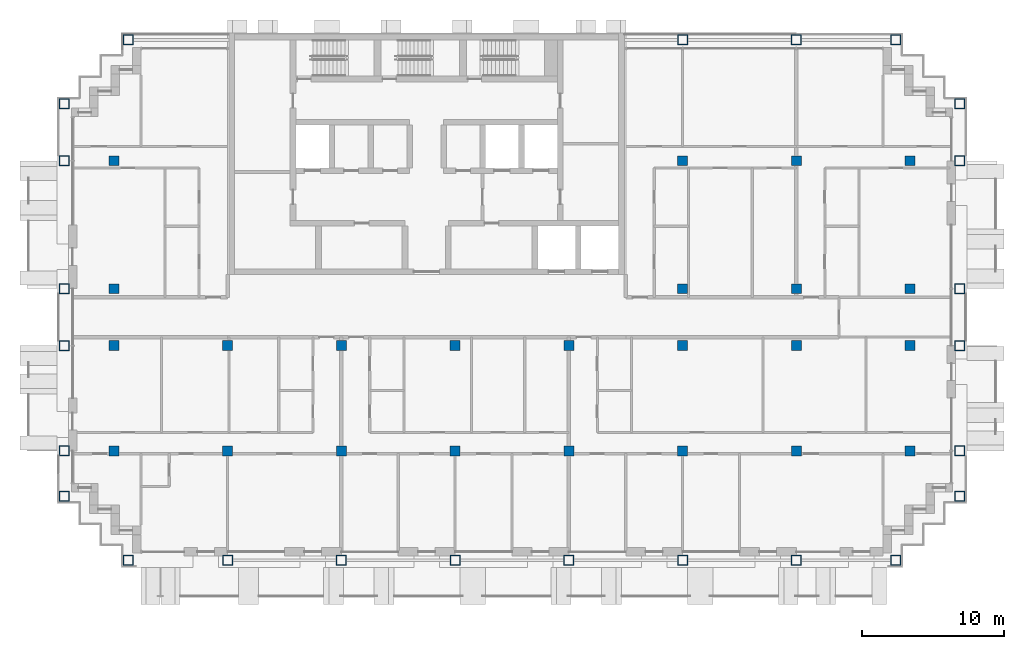
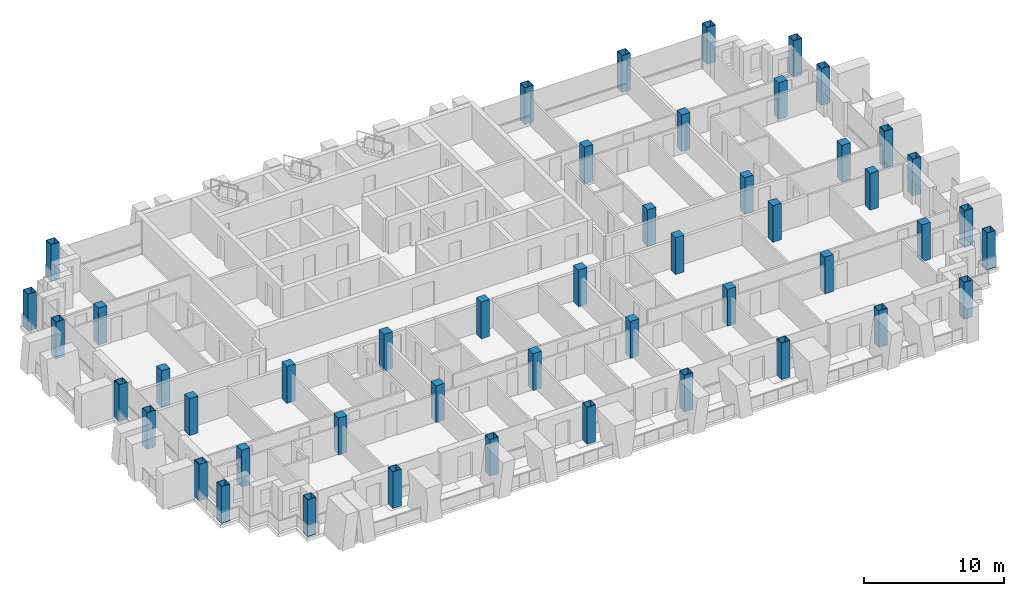
# One storey, part 1 of 16: 48 columns.
"""IFC4 building model written with IfcOpenShell, lengths in metres."""

from ifc_helpers import new_model, si_unit, direction, frame, origin, origin_2d, place, context, subcontext, project, spatial, rectangle, hollow_rectangle, extrude, material, material_profile, profile_set, type_object, element, save


model = new_model("IFC4")

# Units and contexts
model_context = context("Model", 3, precision=1e-05, world=origin(), true_north=direction((0.0, 1.0)))
body_context = subcontext(model_context, "Body", "Model", "MODEL_VIEW")
ifc_project = project(units=[si_unit("LENGTHUNIT", "METRE"), si_unit("AREAUNIT", "SQUARE_METRE"), si_unit("VOLUMEUNIT", "CUBIC_METRE"), si_unit("PLANEANGLEUNIT", "RADIAN"), si_unit("MASSUNIT", "GRAM", prefix="KILO")], contexts=[model_context])

# Site, building, storey
site_placement = place(None, origin())
site = spatial("IfcSite", under=ifc_project, at=site_placement, CompositionType="ELEMENT")
building_placement = place(site_placement, origin())
building = spatial("IfcBuilding", under=site, at=building_placement, Name="Vidyagriha Tower", CompositionType="ELEMENT")
storey_placement = place(building_placement, frame((0.0, 0.0, 165.300048828125)))
storey = spatial("IfcBuildingStorey", under=building, at=storey_placement, Name="L42", CompositionType="ELEMENT", Elevation=165.300048828125)

# Columns
ifc_material_1 = material(Name="Steel ASTM A572 Grade 50", Category="steel")
ifc_material_profile_1 = material_profile(ifc_material_1, hollow_rectangle(XDim=0.699951171875, YDim=0.699951171875, WallThickness=0.035888671875, at=origin_2d()), Name="BOX 700x700x36")
ifc_profile_set_1 = profile_set([ifc_material_profile_1], Name="Steel ASTM A572 Grade 50")
column_type_1 = type_object("IfcColumnType", Name="Exoskeleton column BOX 700x700x36", PredefinedType="COLUMN", material=ifc_profile_set_1)
for number, where, name in (
    (1, (-21.0, -17.10009765625, 0.0), "st-col-L42-B4-001"),
    (2, (-14.0, -17.10009765625, 0.0), "st-col-L42-B4-002"),
    (3, (-6.0, -17.10009765625, 0.0), "st-col-L42-B4-003"),
    (4, (2.0, -17.10009765625, 0.0), "st-col-L42-B4-004"),
    (5, (10.0, -17.10009765625, 0.0), "st-col-L42-B4-005"),
    (6, (18.0, -17.10009765625, 0.0), "st-col-L42-B4-006"),
    (7, (26.0, -17.10009765625, 0.0), "st-col-L42-B4-007"),
    (8, (33.0, -17.10009765625, 0.0), "st-col-L42-B4-008"),
    (9, (-25.5, -12.60009765625, 0.0), "st-col-L42-B4-009"),
    (10, (37.5, -12.60009765625, 0.0), "st-col-L42-B4-010"),
    (11, (-25.5, -9.39990234375, 0.0), "st-col-L42-B4-011"),
    (12, (37.5, -9.39990234375, 0.0), "st-col-L42-B4-020"),
    (13, (-25.5, -2.0, 0.0), "st-col-L42-B4-021"),
    (14, (37.5, -2.0, 0.0), "st-col-L42-B4-030"),
    (15, (-25.5, 2.0, 0.0), "st-col-L42-B4-031"),
    (16, (37.5, 2.0, 0.0), "st-col-L42-B4-036"),
    (17, (-25.5, 11.0, 0.0), "st-col-L42-B4-037"),
    (18, (37.5, 11.0, 0.0), "st-col-L42-B4-042"),
    (19, (-25.5, 15.0, 0.0), "st-col-L42-B4-043"),
    (20, (37.5, 15.0, 0.0), "st-col-L42-B4-044"),
    (21, (-21.0, 19.5, 0.0), "st-col-L42-B4-045"),
    (22, (18.0, 19.5, 0.0), "st-col-L42-B4-046"),
    (23, (26.0, 19.5, 0.0), "st-col-L42-B4-047"),
    (24, (33.0, 19.5, 0.0), "st-col-L42-B4-048"),
):
    element("IfcColumn", number, at=place(storey_placement, frame(where)), inside=storey, type_object=column_type_1, Name=name, PredefinedType="COLUMN", context=body_context, shape_type="SweptSolid", body=[
        extrude(hollow_rectangle(XDim=0.699951171875, YDim=0.699951171875, WallThickness=0.035888671875, at=origin_2d()), origin(), (0.0, 0.0, 1.0), 3.199951171875),
    ])
ifc_material_2 = material(Name="Concrete C60/75", Category="concrete")
ifc_material_profile_2 = material_profile(ifc_material_2, rectangle(XDim=0.699951171875, YDim=0.699951171875, at=origin_2d()), Name="RC 700x700")
ifc_profile_set_2 = profile_set([ifc_material_profile_2], Name="Concrete C60/75")
column_type_2 = type_object("IfcColumnType", Name="Frame column RC 700x700", PredefinedType="COLUMN", material=ifc_profile_set_2)
for number, where, name in (
    (25, (-22.0, -9.39990234375, 0.0), "st-col-L42-B4-012"),
    (26, (-14.0, -9.39990234375, 0.0), "st-col-L42-B4-013"),
    (27, (-6.0, -9.39990234375, 0.0), "st-col-L42-B4-014"),
    (28, (2.0, -9.39990234375, 0.0), "st-col-L42-B4-015"),
    (29, (10.0, -9.39990234375, 0.0), "st-col-L42-B4-016"),
    (30, (18.0, -9.39990234375, 0.0), "st-col-L42-B4-017"),
    (31, (26.0, -9.39990234375, 0.0), "st-col-L42-B4-018"),
    (32, (34.0, -9.39990234375, 0.0), "st-col-L42-B4-019"),
    (33, (-22.0, -2.0, 0.0), "st-col-L42-B4-022"),
    (34, (-14.0, -2.0, 0.0), "st-col-L42-B4-023"),
    (35, (-6.0, -2.0, 0.0), "st-col-L42-B4-024"),
    (36, (2.0, -2.0, 0.0), "st-col-L42-B4-025"),
    (37, (10.0, -2.0, 0.0), "st-col-L42-B4-026"),
    (38, (18.0, -2.0, 0.0), "st-col-L42-B4-027"),
    (39, (26.0, -2.0, 0.0), "st-col-L42-B4-028"),
    (40, (34.0, -2.0, 0.0), "st-col-L42-B4-029"),
    (41, (-22.0, 2.0, 0.0), "st-col-L42-B4-032"),
    (42, (18.0, 2.0, 0.0), "st-col-L42-B4-033"),
    (43, (26.0, 2.0, 0.0), "st-col-L42-B4-034"),
    (44, (34.0, 2.0, 0.0), "st-col-L42-B4-035"),
    (45, (-22.0, 11.0, 0.0), "st-col-L42-B4-038"),
    (46, (18.0, 11.0, 0.0), "st-col-L42-B4-039"),
    (47, (26.0, 11.0, 0.0), "st-col-L42-B4-040"),
    (48, (34.0, 11.0, 0.0), "st-col-L42-B4-041"),
):
    element("IfcColumn", number, at=place(storey_placement, frame(where)), inside=storey, type_object=column_type_2, Name=name, PredefinedType="COLUMN", context=body_context, shape_type="SweptSolid", body=[
        extrude(rectangle(XDim=0.699951171875, YDim=0.699951171875, at=origin_2d()), origin(), (0.0, 0.0, 1.0), 3.199951171875),
    ])

save(model, "model.ifc")
